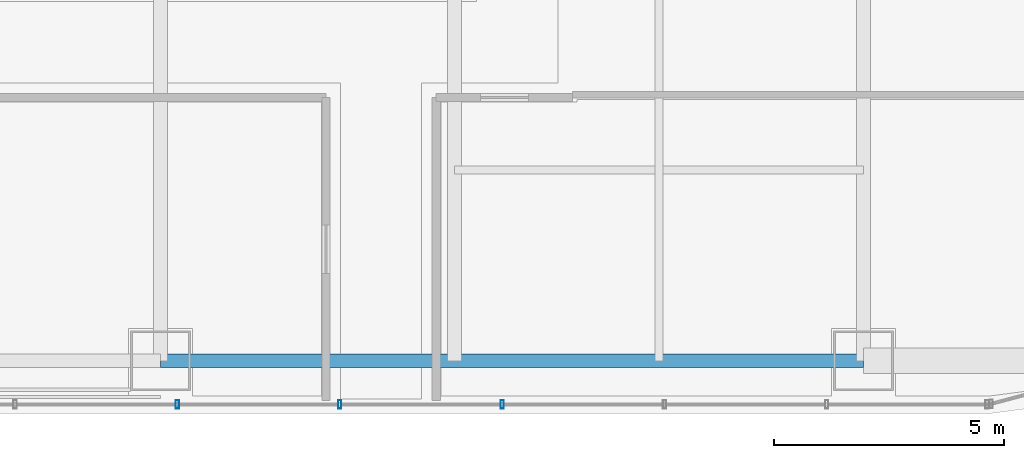
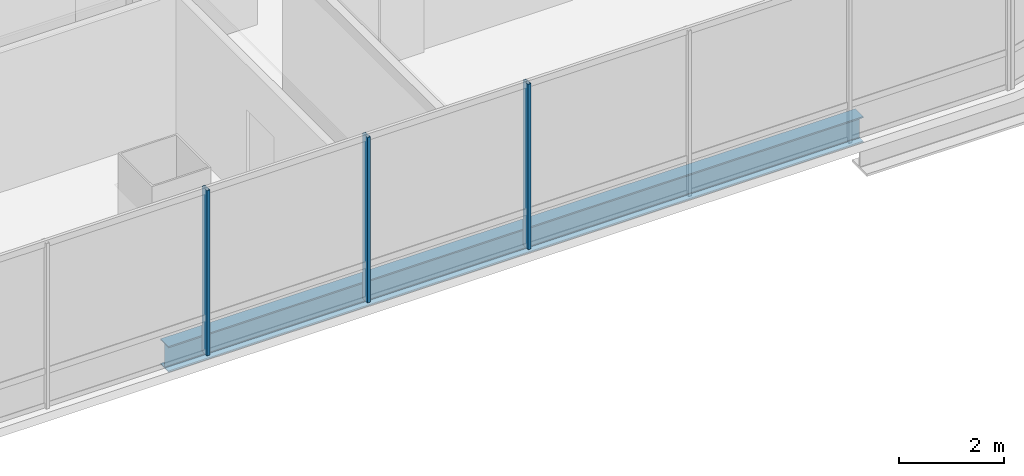
# One storey, part 8 of 42: 3 members, 1 beam, 1 element without a shape of its own.
"""IFC4 building model written with IfcOpenShell, lengths in metres."""

from ifc_helpers import new_model, si_unit, direction, frame, origin, origin_2d, place, context, subcontext, project, spatial, hollow_rectangle, i_section, extrude, material, material_profile, profile_set, type_object, element, aggregate, save


model = new_model("IFC4")

# Units and contexts
model_context = context("Model", 3, precision=1e-05, world=origin(), true_north=direction((0.0, 1.0)))
body_context = subcontext(model_context, "Body", "Model", "MODEL_VIEW")
ifc_project = project(units=[si_unit("LENGTHUNIT", "METRE"), si_unit("AREAUNIT", "SQUARE_METRE"), si_unit("VOLUMEUNIT", "CUBIC_METRE"), si_unit("PLANEANGLEUNIT", "RADIAN"), si_unit("MASSUNIT", "GRAM", prefix="KILO")], contexts=[model_context])

# Site, building, storey
site_placement = place(None, origin())
site = spatial("IfcSite", under=ifc_project, at=site_placement, CompositionType="ELEMENT")
building_placement = place(site_placement, origin())
building = spatial("IfcBuilding", under=site, at=building_placement, Name="Punatoya Terracotta Tower", CompositionType="ELEMENT")
storey_placement = place(building_placement, frame((0.0, 0.0, 263.550048828125)))
storey = spatial("IfcBuildingStorey", under=building, at=storey_placement, Name="L62", CompositionType="ELEMENT", Elevation=263.550048828125)

# Beam
ifc_material_1 = material(Name="Steel S355", Category="steel")
ifc_material_profile_1 = material_profile(ifc_material_1, i_section(OverallWidth=0.300048828125, OverallDepth=0.60009765625, WebThickness=0.015380859375, FlangeThickness=0.030029296875, FilletRadius=0.01806640625, at=origin_2d()))
ifc_profile_set_1 = profile_set([ifc_material_profile_1], Name="Steel S355")
beam_type = type_object("IfcBeamType", Name="BM-PRI-600", PredefinedType="BEAM", material=ifc_profile_set_1)
beam_placement = place(storey_placement, frame((3.800048828125, -17.5, -0.5), z_axis=(1.0, 0.0, 0.0), x_axis=(0.0, 1.0, 0.0)))
element("IfcBeam", 1, at=beam_placement, inside=storey, type_object=beam_type, Name="BM-L62-RG-S3", PredefinedType="BEAM", context=body_context, shape_type="SweptSolid", body=[
    extrude(i_section(OverallWidth=0.300048828125, OverallDepth=0.60009765625, WebThickness=0.015380859375, FlangeThickness=0.030029296875, FilletRadius=0.01806640625, at=origin_2d()), origin(), (0.0, 0.0, 1.0), 15.300048828125),
])

# Curtain wall, members
ifc_material_2 = material(Name="Aluminium 6063-T6 + Double Low-E Glass", Category="aluminium")
curtain_wall_type = type_object("IfcCurtainWallType", Name="CW-M3", PredefinedType="NOTDEFINED", material=ifc_material_2)
curtain_wall_placement = place(storey_placement, origin())
curtain_wall = element("IfcCurtainWall", 2, at=curtain_wall_placement, inside=storey, type_object=curtain_wall_type, Name="L62 Curtain Wall CW-L62-S01-1", PredefinedType="NOTDEFINED")
ifc_material_3 = material(Name="Aluminium 6063-T6", Category="aluminium")
ifc_material_profile_2 = material_profile(ifc_material_3, hollow_rectangle(XDim=0.070068359375, YDim=0.179931640625, WallThickness=0.00390625, at=origin_2d()))
ifc_profile_set_2 = profile_set([ifc_material_profile_2], Name="Aluminium 6063-T6")
member_type = type_object("IfcMemberType", Name="CW-MUL-M3", PredefinedType="MULLION", material=ifc_profile_set_2)
member_1_placement = place(storey_placement, frame((4.1669921875, -18.449951171875, 0.0), z_axis=(0.0, 0.0, 1.0), x_axis=(1.0, 0.0, 0.0)))
member_1 = element("IfcMember", 3, at=member_1_placement, type_object=member_type, Name="CW-L62-S01-1 Mullion 06", PredefinedType="MULLION", context=body_context, shape_type="SweptSolid", body=[
    extrude(hollow_rectangle(XDim=0.070068359375, YDim=0.179931640625, WallThickness=0.00390625, at=origin_2d()), origin(), (0.0, 0.0, 1.0), 3.849853515625),
])
member_2_placement = place(storey_placement, frame((7.700927734375, -18.449951171875, 0.0), z_axis=(0.0, 0.0, 1.0), x_axis=(1.0, 0.0, 0.0)))
member_2 = element("IfcMember", 4, at=member_2_placement, type_object=member_type, Name="CW-L62-S01-1 Mullion 07", PredefinedType="MULLION", context=body_context, shape_type="SweptSolid", body=[
    extrude(hollow_rectangle(XDim=0.070068359375, YDim=0.179931640625, WallThickness=0.00390625, at=origin_2d()), origin(), (0.0, 0.0, 1.0), 3.849853515625),
])
member_3_placement = place(storey_placement, frame((11.235107421875, -18.449951171875, 0.0), z_axis=(0.0, 0.0, 1.0), x_axis=(1.0, 0.0, 0.0)))
member_3 = element("IfcMember", 5, at=member_3_placement, type_object=member_type, Name="CW-L62-S01-1 Mullion 08", PredefinedType="MULLION", context=body_context, shape_type="SweptSolid", body=[
    extrude(hollow_rectangle(XDim=0.070068359375, YDim=0.179931640625, WallThickness=0.00390625, at=origin_2d()), origin(), (0.0, 0.0, 1.0), 3.849853515625),
])
aggregate(curtain_wall, [member_1, member_2, member_3])

save(model, "model.ifc")
